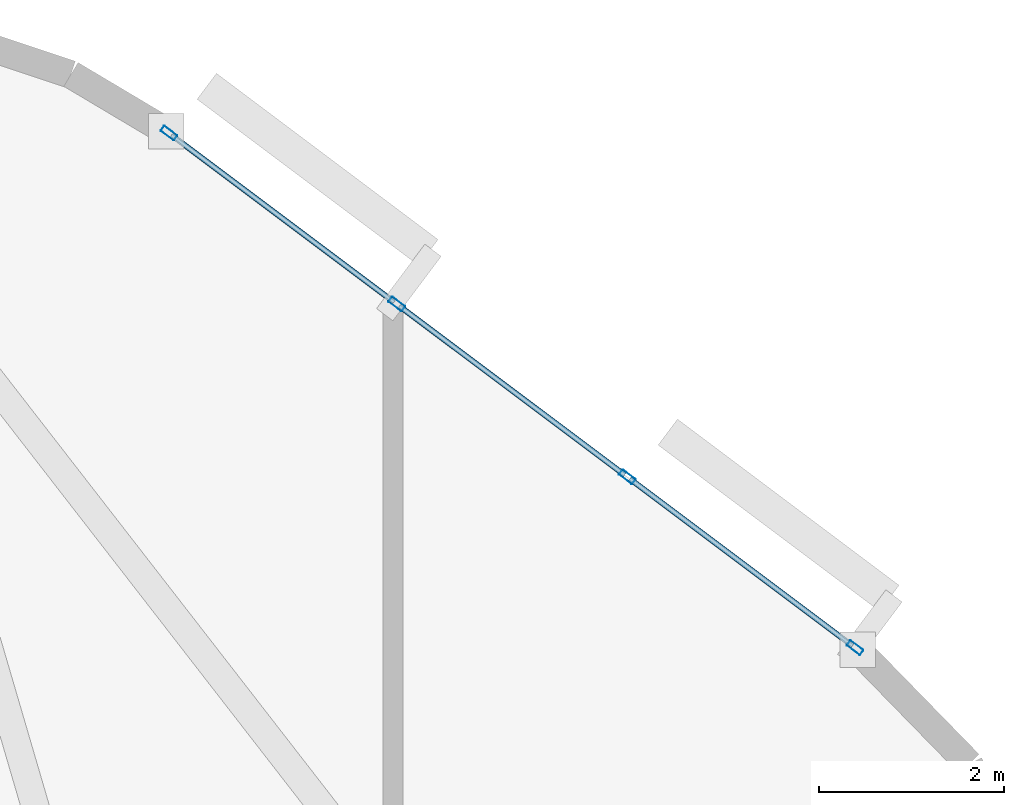
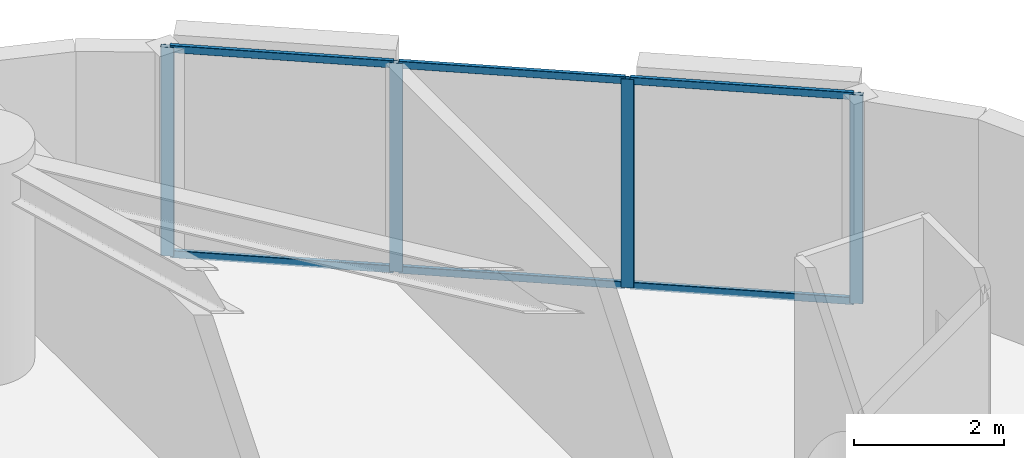
# One storey, part 8 of 16: 10 members, 1 element without a shape of its own.
"""IFC4 building model written with IfcOpenShell, lengths in metres."""

from ifc_helpers import new_model, si_unit, direction, frame, origin, origin_2d, place, context, subcontext, project, spatial, hollow_rectangle, extrude, material, layer, layer_set, material_profile, profile_set, type_object, element, aggregate, save


model = new_model("IFC4")

# Units and contexts
model_context = context("Model", 3, precision=1e-05, world=origin(), true_north=direction((0.0, 1.0)))
body_context = subcontext(model_context, "Body", "Model", "MODEL_VIEW")
ifc_project = project(units=[si_unit("LENGTHUNIT", "METRE"), si_unit("AREAUNIT", "SQUARE_METRE"), si_unit("VOLUMEUNIT", "CUBIC_METRE"), si_unit("PLANEANGLEUNIT", "RADIAN"), si_unit("MASSUNIT", "GRAM", prefix="KILO")], contexts=[model_context])

# Site, building, storey
site_placement = place(None, origin())
site = spatial("IfcSite", under=ifc_project, at=site_placement, CompositionType="ELEMENT")
building_placement = place(site_placement, origin())
building = spatial("IfcBuilding", under=site, at=building_placement, Name="An Khanh Terracotta Commons", CompositionType="ELEMENT")
storey_placement = place(building_placement, frame((0.0, 0.0, 97.10009765625)))
storey = spatial("IfcBuildingStorey", under=building, at=storey_placement, Name="L25", CompositionType="ELEMENT", Elevation=97.10009765625)

# Curtain wall, members
ifc_material = material(Name="Anodised Aluminium 6063-T6", Category="aluminium")
ifc_layer = layer(ifc_material, 0.199951171875, Name="Anodised Aluminium 6063-T6")
ifc_layer_set = layer_set([ifc_layer], Name="Anodised Aluminium 6063-T6")
curtain_wall_type = type_object("IfcCurtainWallType", Name="CW-SYS-02", PredefinedType="USERDEFINED", material=ifc_layer_set)
curtain_wall_placement = place(storey_placement, origin())
curtain_wall = element("IfcCurtainWall", 1, at=curtain_wall_placement, inside=storey, type_object=curtain_wall_type, Name="L25 CW-02 Unitised Curtain Wall CW-L25-16", ObjectType="UNITISED CURTAIN WALL", PredefinedType="USERDEFINED")
ifc_material_profile_1 = material_profile(ifc_material, hollow_rectangle(XDim=0.070068359375, YDim=0.179931640625, WallThickness=0.00390625, InnerFilletRadius=0.00390625, OuterFilletRadius=0.008056640625, at=origin_2d()), Name="RHS180x70x4")
ifc_profile_set_1 = profile_set([ifc_material_profile_1], Name="Anodised Aluminium 6063-T6")
member_type_1 = type_object("IfcMemberType", Name="CWM-RHS180x70x4", PredefinedType="MULLION", material=ifc_profile_set_1)
member_1_placement = place(storey_placement, frame((55.132080078125, 37.10107421875, 0.0), z_axis=(0.0, 0.0, 1.0), x_axis=(-0.599982857492, -0.800012856594, 0.0)))
member_1 = element("IfcMember", 2, at=member_1_placement, type_object=member_type_1, Name="CW-02 mullion 1", PredefinedType="MULLION", context=body_context, shape_type="SweptSolid", body=[
    extrude(hollow_rectangle(XDim=0.070068359375, YDim=0.179931640625, WallThickness=0.00390625, InnerFilletRadius=0.00390625, OuterFilletRadius=0.008056640625, at=origin_2d()), origin(), (0.0, 0.0, 1.0), 3.39990234375),
])
member_2_placement = place(storey_placement, frame((52.6708984375, 38.94677734375, 0.0), z_axis=(0.0, 0.0, 1.0), x_axis=(-0.599982857492, -0.800012856594, 0.0)))
member_2 = element("IfcMember", 3, at=member_2_placement, type_object=member_type_1, Name="CW-02 mullion 2", PredefinedType="MULLION", context=body_context, shape_type="SweptSolid", body=[
    extrude(hollow_rectangle(XDim=0.070068359375, YDim=0.179931640625, WallThickness=0.00390625, InnerFilletRadius=0.00390625, OuterFilletRadius=0.008056640625, at=origin_2d()), origin(), (0.0, 0.0, 1.0), 3.39990234375),
])
member_3_placement = place(storey_placement, frame((50.181884765625, 40.813232421875, 0.0), z_axis=(0.0, 0.0, 1.0), x_axis=(-0.599982857492, -0.800012856594, 0.0)))
member_3 = element("IfcMember", 4, at=member_3_placement, type_object=member_type_1, Name="CW-02 mullion 3", PredefinedType="MULLION", context=body_context, shape_type="SweptSolid", body=[
    extrude(hollow_rectangle(XDim=0.070068359375, YDim=0.179931640625, WallThickness=0.00390625, InnerFilletRadius=0.00390625, OuterFilletRadius=0.008056640625, at=origin_2d()), origin(), (0.0, 0.0, 1.0), 3.39990234375),
])
member_4_placement = place(storey_placement, frame((47.720947265625, 42.658935546875, 0.0), z_axis=(0.0, 0.0, 1.0), x_axis=(-0.599982857492, -0.800012856594, 0.0)))
member_4 = element("IfcMember", 5, at=member_4_placement, type_object=member_type_1, Name="CW-02 mullion 4", PredefinedType="MULLION", context=body_context, shape_type="SweptSolid", body=[
    extrude(hollow_rectangle(XDim=0.070068359375, YDim=0.179931640625, WallThickness=0.00390625, InnerFilletRadius=0.00390625, OuterFilletRadius=0.008056640625, at=origin_2d()), origin(), (0.0, 0.0, 1.0), 3.39990234375),
])
ifc_material_profile_2 = material_profile(ifc_material, hollow_rectangle(XDim=0.06005859375, YDim=0.1201171875, WallThickness=0.003662109375, InnerFilletRadius=0.003662109375, OuterFilletRadius=0.007080078125, at=origin_2d()), Name="RHS120x60x3.6")
ifc_profile_set_2 = profile_set([ifc_material_profile_2], Name="Anodised Aluminium 6063-T6")
member_type_2 = type_object("IfcMemberType", Name="CWT-RHS120x60x3.6", PredefinedType="USERDEFINED", material=ifc_profile_set_2)
member_5_placement = place(storey_placement, frame((55.10400390625, 37.1220703125, 0.02978515625), z_axis=(-0.800009745217, 0.599987006158, 0.0), x_axis=(-0.599987006158, -0.800009745217, 0.0)))
member_5 = element("IfcMember", 6, at=member_5_placement, type_object=member_type_2, Name="CW-02 transom 1.1", ObjectType="TRANSOM", PredefinedType="USERDEFINED", context=body_context, shape_type="SweptSolid", body=[
    extrude(hollow_rectangle(XDim=0.06005859375, YDim=0.1201171875, WallThickness=0.003662109375, InnerFilletRadius=0.003662109375, OuterFilletRadius=0.007080078125, at=origin_2d()), origin(), (0.0, 0.0, 1.0), 3.00634765625),
])
member_6_placement = place(storey_placement, frame((55.10400390625, 37.1220703125, 3.369873046875), z_axis=(-0.800009745217, 0.599987006158, 0.0), x_axis=(-0.599987006158, -0.800009745217, 0.0)))
member_6 = element("IfcMember", 7, at=member_6_placement, type_object=member_type_2, Name="CW-02 transom 1.2", ObjectType="TRANSOM", PredefinedType="USERDEFINED", context=body_context, shape_type="SweptSolid", body=[
    extrude(hollow_rectangle(XDim=0.06005859375, YDim=0.1201171875, WallThickness=0.003662109375, InnerFilletRadius=0.003662109375, OuterFilletRadius=0.007080078125, at=origin_2d()), origin(), (0.0, 0.0, 1.0), 3.00634765625),
])
member_7_placement = place(storey_placement, frame((52.64306640625, 38.9677734375, 0.02978515625), z_axis=(-0.800057796972, 0.599922929638, 0.0), x_axis=(-0.599922929638, -0.800057796972, 0.0)))
member_7 = element("IfcMember", 8, at=member_7_placement, type_object=member_type_2, Name="CW-02 transom 2.1", ObjectType="TRANSOM", PredefinedType="USERDEFINED", context=body_context, shape_type="SweptSolid", body=[
    extrude(hollow_rectangle(XDim=0.06005859375, YDim=0.1201171875, WallThickness=0.003662109375, InnerFilletRadius=0.003662109375, OuterFilletRadius=0.007080078125, at=origin_2d()), origin(), (0.0, 0.0, 1.0), 3.041259765625),
])
member_8_placement = place(storey_placement, frame((52.64306640625, 38.9677734375, 3.369873046875), z_axis=(-0.800057796972, 0.599922929638, 0.0), x_axis=(-0.599922929638, -0.800057796972, 0.0)))
member_8 = element("IfcMember", 9, at=member_8_placement, type_object=member_type_2, Name="CW-02 transom 2.2", ObjectType="TRANSOM", PredefinedType="USERDEFINED", context=body_context, shape_type="SweptSolid", body=[
    extrude(hollow_rectangle(XDim=0.06005859375, YDim=0.1201171875, WallThickness=0.003662109375, InnerFilletRadius=0.003662109375, OuterFilletRadius=0.007080078125, at=origin_2d()), origin(), (0.0, 0.0, 1.0), 3.041259765625),
])
member_9_placement = place(storey_placement, frame((50.154052734375, 40.834228515625, 0.02978515625), z_axis=(-0.800009745217, 0.599987006158, 0.0), x_axis=(-0.599987006158, -0.800009745217, 0.0)))
member_9 = element("IfcMember", 10, at=member_9_placement, type_object=member_type_2, Name="CW-02 transom 3.1", ObjectType="TRANSOM", PredefinedType="USERDEFINED", context=body_context, shape_type="SweptSolid", body=[
    extrude(hollow_rectangle(XDim=0.06005859375, YDim=0.1201171875, WallThickness=0.003662109375, InnerFilletRadius=0.003662109375, OuterFilletRadius=0.007080078125, at=origin_2d()), origin(), (0.0, 0.0, 1.0), 3.00634765625),
])
member_10_placement = place(storey_placement, frame((50.154052734375, 40.834228515625, 3.369873046875), z_axis=(-0.800009745217, 0.599987006158, 0.0), x_axis=(-0.599987006158, -0.800009745217, 0.0)))
member_10 = element("IfcMember", 11, at=member_10_placement, type_object=member_type_2, Name="CW-02 transom 3.2", ObjectType="TRANSOM", PredefinedType="USERDEFINED", context=body_context, shape_type="SweptSolid", body=[
    extrude(hollow_rectangle(XDim=0.06005859375, YDim=0.1201171875, WallThickness=0.003662109375, InnerFilletRadius=0.003662109375, OuterFilletRadius=0.007080078125, at=origin_2d()), origin(), (0.0, 0.0, 1.0), 3.00634765625),
])
aggregate(curtain_wall, [member_1, member_2, member_3, member_4, member_5, member_6, member_7, member_8, member_9, member_10])

save(model, "model.ifc")
